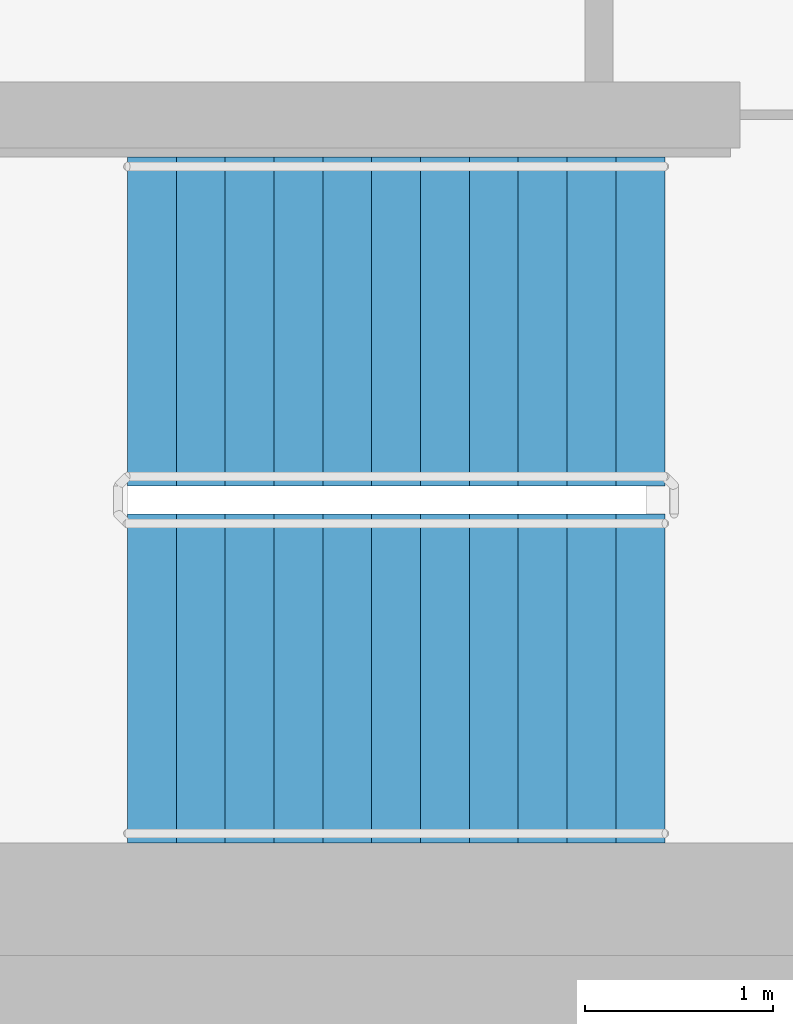
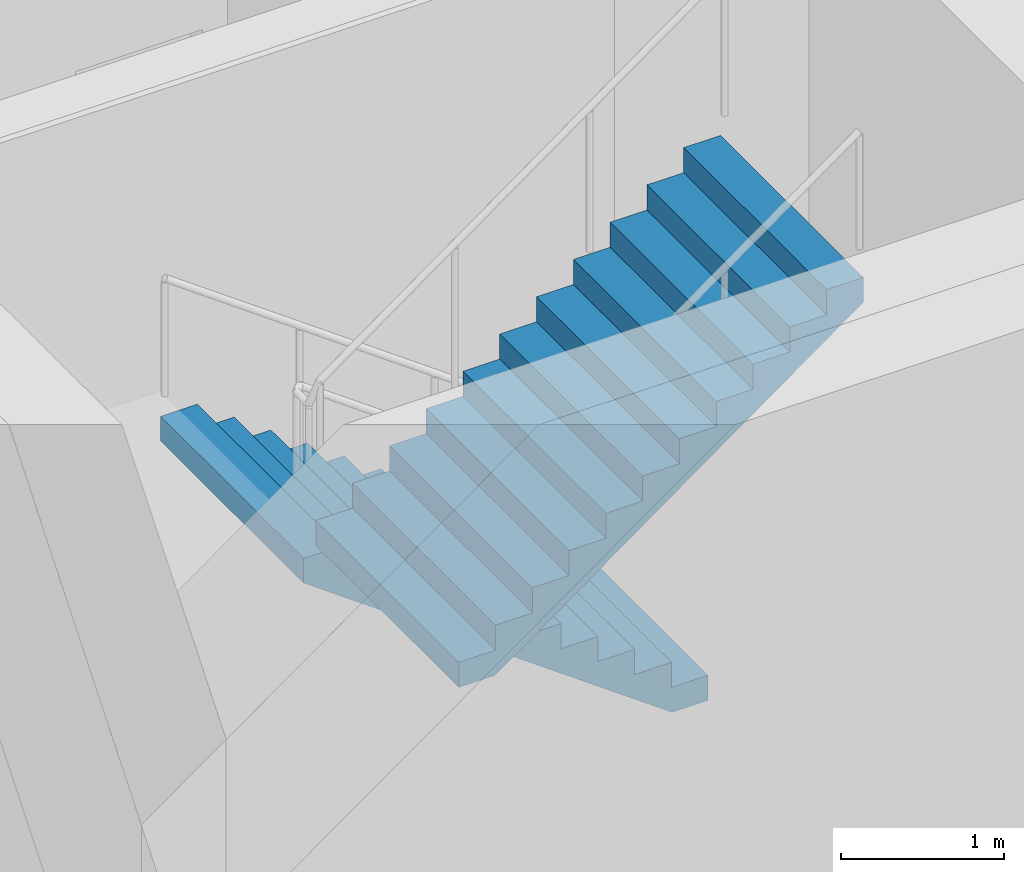
# One storey, part 8 of 12: 2 stair flights, 1 element without a shape of its own.
"""IFC4 building model written with IfcOpenShell, lengths in metres."""

from ifc_helpers import new_model, si_unit, direction, frame, origin, place, context, subcontext, project, spatial, faceted_brep, material, type_object, element, aggregate, save


model = new_model("IFC4")

# Units and contexts
model_context = context("Model", 3, precision=1e-05, world=origin(), true_north=direction((0.0, 1.0)))
body_context = subcontext(model_context, "Body", "Model", "MODEL_VIEW")
ifc_project = project(units=[si_unit("LENGTHUNIT", "METRE"), si_unit("AREAUNIT", "SQUARE_METRE"), si_unit("VOLUMEUNIT", "CUBIC_METRE"), si_unit("PLANEANGLEUNIT", "RADIAN"), si_unit("MASSUNIT", "GRAM", prefix="KILO")], contexts=[model_context])

# Site, building, storey
site_placement = place(None, origin())
site = spatial("IfcSite", under=ifc_project, at=site_placement, CompositionType="ELEMENT")
building_placement = place(site_placement, origin())
building = spatial("IfcBuilding", under=site, at=building_placement, Name="Ipe Terrace Towers", CompositionType="ELEMENT")
storey_placement = place(building_placement, frame((0.0, 0.0, 260.39990234375)))
storey = spatial("IfcBuildingStorey", under=building, at=storey_placement, Name="L71", CompositionType="ELEMENT", Elevation=260.39990234375)

# Stair, stair flights
ifc_material_1 = material(Name="Concrete C30/37", Category="concrete")
stair_type = type_object("IfcStairType", Name="Protected exit stair", PredefinedType="HALF_TURN_STAIR", material=ifc_material_1)
stair_placement = place(storey_placement, origin())
stair = element("IfcStair", 1, at=stair_placement, inside=storey, type_object=stair_type, Name="L71 Exit stair T1-C2", PredefinedType="HALF_TURN_STAIR")
ifc_material_2 = material(Name="Concrete C30/37", Category="concrete")
stair_flight_type = type_object("IfcStairFlightType", Name="Exit stair flight 1750", PredefinedType="STRAIGHT", material=ifc_material_2)
stair_flight_1_placement = place(storey_placement, frame((-45.699951171875, -2.77490234375, 0.0), z_axis=(0.0, 0.0, 1.0), x_axis=(-1.0, 0.0, 0.0)))
stair_flight_1 = element("IfcStairFlight", 2, at=stair_flight_1_placement, type_object=stair_flight_type, Name="T1-ST2 flight 1", NumberOfRisers=12, NumberOfTreads=11, PredefinedType="STRAIGHT", RiserHeight=0.1875, TreadLength=0.26, context=body_context, shape_type="Brep", body=[
    faceted_brep([(0.25634765625, -0.875, 0.0), (2.860107421875, -0.875, 1.877685546875), (2.860107421875, -0.875, 2.0625), (2.60009765625, -0.875, 2.0625), (2.60009765625, -0.875, 1.875), (2.340087890625, -0.875, 1.875), (2.340087890625, -0.875, 1.6875), (2.080078125, -0.875, 1.6875), (2.080078125, -0.875, 1.5), (1.820068359375, -0.875, 1.5), (1.820068359375, -0.875, 1.3125), (1.56005859375, -0.875, 1.3125), (1.56005859375, -0.875, 1.125), (1.300048828125, -0.875, 1.125), (1.300048828125, -0.875, 0.9375), (1.0400390625, -0.875, 0.9375), (1.0400390625, -0.875, 0.75), (0.780029296875, -0.875, 0.75), (0.780029296875, -0.875, 0.5625), (0.52001953125, -0.875, 0.5625), (0.52001953125, -0.875, 0.375), (0.260009765625, -0.875, 0.375), (0.260009765625, -0.875, 0.1875), (0.0, -0.875, 0.1875), (0.0, -0.875, 0.0), (0.0, 0.875, 0.0), (0.0, 0.875, 0.1875), (0.260009765625, 0.875, 0.1875), (0.260009765625, 0.875, 0.375), (0.52001953125, 0.875, 0.375), (0.52001953125, 0.875, 0.5625), (0.780029296875, 0.875, 0.5625), (0.780029296875, 0.875, 0.75), (1.0400390625, 0.875, 0.75), (1.0400390625, 0.875, 0.9375), (1.300048828125, 0.875, 0.9375), (1.300048828125, 0.875, 1.125), (1.56005859375, 0.875, 1.125), (1.56005859375, 0.875, 1.3125), (1.820068359375, 0.875, 1.3125), (1.820068359375, 0.875, 1.5), (2.080078125, 0.875, 1.5), (2.080078125, 0.875, 1.6875), (2.340087890625, 0.875, 1.6875), (2.340087890625, 0.875, 1.875), (2.60009765625, 0.875, 1.875), (2.60009765625, 0.875, 2.0625), (2.860107421875, 0.875, 2.0625), (2.860107421875, 0.875, 1.877685546875), (0.25634765625, 0.875, 0.0), (0.0, -0.300048828125, 0.1875), (0.0, -0.1201171875, 0.1875), (0.0, -0.06005859375, 0.1875), (0.0, -0.030029296875, 0.1875), (0.0, -0.010009765625, 0.1875), (0.0, 0.0, 0.1875), (0.0, 0.010009765625, 0.1875), (0.0, 0.030029296875, 0.1875), (0.0, 0.06005859375, 0.1875), (0.0, 0.1201171875, 0.1875), (0.0, 0.300048828125, 0.1875), (0.0, 0.300048828125, 0.0), (0.0, 0.1201171875, 0.0), (0.0, 0.06005859375, 0.0), (0.0, 0.030029296875, 0.0), (0.0, 0.010009765625, 0.0), (0.0, 0.0, 0.0), (0.0, -0.010009765625, 0.0), (0.0, -0.030029296875, 0.0), (0.0, -0.06005859375, 0.0), (0.0, -0.1201171875, 0.0), (0.0, -0.300048828125, 0.0), (0.260009765625, -0.300048828125, 0.1875), (0.260009765625, -0.1201171875, 0.1875), (0.260009765625, -0.06005859375, 0.1875), (0.260009765625, -0.030029296875, 0.1875), (0.260009765625, -0.010009765625, 0.1875), (0.260009765625, 0.0, 0.1875), (0.260009765625, 0.010009765625, 0.1875), (0.260009765625, 0.030029296875, 0.1875), (0.260009765625, 0.06005859375, 0.1875), (0.260009765625, 0.1201171875, 0.1875), (0.260009765625, 0.300048828125, 0.1875), (0.260009765625, -0.300048828125, 0.375), (0.260009765625, -0.1201171875, 0.375), (0.260009765625, -0.06005859375, 0.375), (0.260009765625, -0.030029296875, 0.375), (0.260009765625, -0.010009765625, 0.375), (0.260009765625, 0.0, 0.375), (0.260009765625, 0.010009765625, 0.375), (0.260009765625, 0.030029296875, 0.375), (0.260009765625, 0.06005859375, 0.375), (0.260009765625, 0.1201171875, 0.375), (0.260009765625, 0.300048828125, 0.375), (0.52001953125, -0.300048828125, 0.375), (0.52001953125, -0.1201171875, 0.375), (0.52001953125, -0.06005859375, 0.375), (0.52001953125, -0.030029296875, 0.375), (0.52001953125, -0.010009765625, 0.375), (0.52001953125, 0.0, 0.375), (0.52001953125, 0.010009765625, 0.375), (0.52001953125, 0.030029296875, 0.375), (0.52001953125, 0.06005859375, 0.375), (0.52001953125, 0.1201171875, 0.375), (0.52001953125, 0.300048828125, 0.375), (0.52001953125, -0.300048828125, 0.5625), (0.52001953125, -0.1201171875, 0.5625), (0.52001953125, -0.06005859375, 0.5625), (0.52001953125, -0.030029296875, 0.5625), (0.52001953125, -0.010009765625, 0.5625), (0.52001953125, 0.0, 0.5625), (0.52001953125, 0.010009765625, 0.5625), (0.52001953125, 0.030029296875, 0.5625), (0.52001953125, 0.06005859375, 0.5625), (0.52001953125, 0.1201171875, 0.5625), (0.52001953125, 0.300048828125, 0.5625), (0.780029296875, -0.300048828125, 0.5625), (0.780029296875, -0.1201171875, 0.5625), (0.780029296875, -0.06005859375, 0.5625), (0.780029296875, -0.030029296875, 0.5625), (0.780029296875, -0.010009765625, 0.5625), (0.780029296875, 0.0, 0.5625), (0.780029296875, 0.010009765625, 0.5625), (0.780029296875, 0.030029296875, 0.5625), (0.780029296875, 0.06005859375, 0.5625), (0.780029296875, 0.1201171875, 0.5625), (0.780029296875, 0.300048828125, 0.5625), (0.780029296875, -0.300048828125, 0.75), (0.780029296875, -0.1201171875, 0.75), (0.780029296875, -0.06005859375, 0.75), (0.780029296875, -0.030029296875, 0.75), (0.780029296875, -0.010009765625, 0.75), (0.780029296875, 0.0, 0.75), (0.780029296875, 0.010009765625, 0.75), (0.780029296875, 0.030029296875, 0.75), (0.780029296875, 0.06005859375, 0.75), (0.780029296875, 0.1201171875, 0.75), (0.780029296875, 0.300048828125, 0.75), (1.0400390625, -0.300048828125, 0.75), (1.0400390625, -0.1201171875, 0.75), (1.0400390625, -0.06005859375, 0.75), (1.0400390625, -0.030029296875, 0.75), (1.0400390625, -0.010009765625, 0.75), (1.0400390625, 0.0, 0.75), (1.0400390625, 0.010009765625, 0.75), (1.0400390625, 0.030029296875, 0.75), (1.0400390625, 0.06005859375, 0.75), (1.0400390625, 0.1201171875, 0.75), (1.0400390625, 0.300048828125, 0.75), (1.0400390625, -0.300048828125, 0.9375), (1.0400390625, -0.1201171875, 0.9375), (1.0400390625, -0.06005859375, 0.9375), (1.0400390625, -0.030029296875, 0.9375), (1.0400390625, -0.010009765625, 0.9375), (1.0400390625, 0.0, 0.9375), (1.0400390625, 0.010009765625, 0.9375), (1.0400390625, 0.030029296875, 0.9375), (1.0400390625, 0.06005859375, 0.9375), (1.0400390625, 0.1201171875, 0.9375), (1.0400390625, 0.300048828125, 0.9375), (1.300048828125, -0.300048828125, 0.9375), (1.300048828125, -0.1201171875, 0.9375), (1.300048828125, -0.06005859375, 0.9375), (1.300048828125, -0.030029296875, 0.9375), (1.300048828125, -0.010009765625, 0.9375), (1.300048828125, 0.0, 0.9375), (1.300048828125, 0.010009765625, 0.9375), (1.300048828125, 0.030029296875, 0.9375), (1.300048828125, 0.06005859375, 0.9375), (1.300048828125, 0.1201171875, 0.9375), (1.300048828125, 0.300048828125, 0.9375), (1.300048828125, -0.300048828125, 1.125), (1.300048828125, -0.1201171875, 1.125), (1.300048828125, -0.06005859375, 1.125), (1.300048828125, -0.030029296875, 1.125), (1.300048828125, -0.010009765625, 1.125), (1.300048828125, 0.0, 1.125), (1.300048828125, 0.010009765625, 1.125), (1.300048828125, 0.030029296875, 1.125), (1.300048828125, 0.06005859375, 1.125), (1.300048828125, 0.1201171875, 1.125), (1.300048828125, 0.300048828125, 1.125), (1.56005859375, -0.300048828125, 1.125), (1.56005859375, -0.1201171875, 1.125), (1.56005859375, -0.06005859375, 1.125), (1.56005859375, -0.030029296875, 1.125), (1.56005859375, -0.010009765625, 1.125), (1.56005859375, 0.0, 1.125), (1.56005859375, 0.010009765625, 1.125), (1.56005859375, 0.030029296875, 1.125), (1.56005859375, 0.06005859375, 1.125), (1.56005859375, 0.1201171875, 1.125), (1.56005859375, 0.300048828125, 1.125), (1.56005859375, -0.300048828125, 1.3125), (1.56005859375, -0.1201171875, 1.3125), (1.56005859375, -0.06005859375, 1.3125), (1.56005859375, -0.030029296875, 1.3125), (1.56005859375, -0.010009765625, 1.3125), (1.56005859375, 0.0, 1.3125), (1.56005859375, 0.010009765625, 1.3125), (1.56005859375, 0.030029296875, 1.3125), (1.56005859375, 0.06005859375, 1.3125), (1.56005859375, 0.1201171875, 1.3125), (1.56005859375, 0.300048828125, 1.3125), (1.820068359375, -0.300048828125, 1.3125), (1.820068359375, -0.1201171875, 1.3125), (1.820068359375, -0.06005859375, 1.3125), (1.820068359375, -0.030029296875, 1.3125), (1.820068359375, -0.010009765625, 1.3125), (1.820068359375, 0.0, 1.3125), (1.820068359375, 0.010009765625, 1.3125), (1.820068359375, 0.030029296875, 1.3125), (1.820068359375, 0.06005859375, 1.3125), (1.820068359375, 0.1201171875, 1.3125), (1.820068359375, 0.300048828125, 1.3125), (1.820068359375, -0.300048828125, 1.5), (1.820068359375, -0.1201171875, 1.5), (1.820068359375, -0.06005859375, 1.5), (1.820068359375, -0.030029296875, 1.5), (1.820068359375, -0.010009765625, 1.5), (1.820068359375, 0.0, 1.5), (1.820068359375, 0.010009765625, 1.5), (1.820068359375, 0.030029296875, 1.5), (1.820068359375, 0.06005859375, 1.5), (1.820068359375, 0.1201171875, 1.5), (1.820068359375, 0.300048828125, 1.5), (2.080078125, -0.300048828125, 1.5), (2.080078125, -0.1201171875, 1.5), (2.080078125, -0.06005859375, 1.5), (2.080078125, -0.030029296875, 1.5), (2.080078125, -0.010009765625, 1.5), (2.080078125, 0.0, 1.5), (2.080078125, 0.010009765625, 1.5), (2.080078125, 0.030029296875, 1.5), (2.080078125, 0.06005859375, 1.5), (2.080078125, 0.1201171875, 1.5), (2.080078125, 0.300048828125, 1.5), (2.080078125, -0.300048828125, 1.6875), (2.080078125, -0.1201171875, 1.6875), (2.080078125, -0.06005859375, 1.6875), (2.080078125, -0.030029296875, 1.6875), (2.080078125, -0.010009765625, 1.6875), (2.080078125, 0.0, 1.6875), (2.080078125, 0.010009765625, 1.6875), (2.080078125, 0.030029296875, 1.6875), (2.080078125, 0.06005859375, 1.6875), (2.080078125, 0.1201171875, 1.6875), (2.080078125, 0.300048828125, 1.6875), (2.340087890625, -0.300048828125, 1.6875), (2.340087890625, -0.1201171875, 1.6875), (2.340087890625, -0.06005859375, 1.6875), (2.340087890625, -0.030029296875, 1.6875), (2.340087890625, -0.010009765625, 1.6875), (2.340087890625, 0.0, 1.6875), (2.340087890625, 0.010009765625, 1.6875), (2.340087890625, 0.030029296875, 1.6875), (2.340087890625, 0.06005859375, 1.6875), (2.340087890625, 0.1201171875, 1.6875), (2.340087890625, 0.300048828125, 1.6875), (2.340087890625, -0.300048828125, 1.875), (2.340087890625, -0.1201171875, 1.875), (2.340087890625, -0.06005859375, 1.875), (2.340087890625, -0.030029296875, 1.875), (2.340087890625, -0.010009765625, 1.875), (2.340087890625, 0.0, 1.875), (2.340087890625, 0.010009765625, 1.875), (2.340087890625, 0.030029296875, 1.875), (2.340087890625, 0.06005859375, 1.875), (2.340087890625, 0.1201171875, 1.875), (2.340087890625, 0.300048828125, 1.875), (2.60009765625, -0.300048828125, 1.875), (2.60009765625, -0.1201171875, 1.875), (2.60009765625, -0.06005859375, 1.875), (2.60009765625, -0.030029296875, 1.875), (2.60009765625, -0.010009765625, 1.875), (2.60009765625, 0.0, 1.875), (2.60009765625, 0.010009765625, 1.875), (2.60009765625, 0.030029296875, 1.875), (2.60009765625, 0.06005859375, 1.875), (2.60009765625, 0.1201171875, 1.875), (2.60009765625, 0.300048828125, 1.875), (2.60009765625, -0.300048828125, 2.0625), (2.60009765625, -0.1201171875, 2.0625), (2.60009765625, -0.06005859375, 2.0625), (2.60009765625, -0.030029296875, 2.0625), (2.60009765625, -0.010009765625, 2.0625), (2.60009765625, 0.0, 2.0625), (2.60009765625, 0.010009765625, 2.0625), (2.60009765625, 0.030029296875, 2.0625), (2.60009765625, 0.06005859375, 2.0625), (2.60009765625, 0.1201171875, 2.0625), (2.60009765625, 0.300048828125, 2.0625), (2.860107421875, -0.300048828125, 2.0625), (2.860107421875, -0.1201171875, 2.0625), (2.860107421875, -0.06005859375, 2.0625), (2.860107421875, -0.030029296875, 2.0625), (2.860107421875, -0.010009765625, 2.0625), (2.860107421875, 0.0, 2.0625), (2.860107421875, 0.010009765625, 2.0625), (2.860107421875, 0.030029296875, 2.0625), (2.860107421875, 0.06005859375, 2.0625), (2.860107421875, 0.1201171875, 2.0625), (2.860107421875, 0.300048828125, 2.0625), (2.860107421875, -0.300048828125, 1.877685546875), (2.860107421875, -0.1201171875, 1.877685546875), (2.860107421875, -0.06005859375, 1.877685546875), (2.860107421875, -0.030029296875, 1.877685546875), (2.860107421875, -0.010009765625, 1.877685546875), (2.860107421875, 0.0, 1.877685546875), (2.860107421875, 0.010009765625, 1.877685546875), (2.860107421875, 0.030029296875, 1.877685546875), (2.860107421875, 0.06005859375, 1.877685546875), (2.860107421875, 0.1201171875, 1.877685546875), (2.860107421875, 0.300048828125, 1.877685546875), (0.25634765625, -0.300048828125, 0.0), (0.25634765625, -0.1201171875, 0.0), (0.25634765625, -0.06005859375, 0.0), (0.25634765625, -0.030029296875, 0.0), (0.25634765625, -0.010009765625, 0.0), (0.25634765625, 0.0, 0.0), (0.25634765625, 0.010009765625, 0.0), (0.25634765625, 0.030029296875, 0.0), (0.25634765625, 0.06005859375, 0.0), (0.25634765625, 0.1201171875, 0.0), (0.25634765625, 0.300048828125, 0.0)], [[[0, 1, 2, 3, 4, 5, 6, 7, 8, 9, 10, 11, 12, 13, 14, 15, 16, 17, 18, 19, 20, 21, 22, 23, 24]], [[25, 26, 27, 28, 29, 30, 31, 32, 33, 34, 35, 36, 37, 38, 39, 40, 41, 42, 43, 44, 45, 46, 47, 48, 49]], [[23, 50, 51, 52, 53, 54, 55, 56, 57, 58, 59, 60, 26, 25, 61, 62, 63, 64, 65, 66, 67, 68, 69, 70, 71, 24]], [[22, 72, 73, 74, 75, 76, 77, 78, 79, 80, 81, 82, 27, 26, 60, 59, 58, 57, 56, 55, 54, 53, 52, 51, 50, 23]], [[21, 83, 84, 85, 86, 87, 88, 89, 90, 91, 92, 93, 28, 27, 82, 81, 80, 79, 78, 77, 76, 75, 74, 73, 72, 22]], [[20, 94, 95, 96, 97, 98, 99, 100, 101, 102, 103, 104, 29, 28, 93, 92, 91, 90, 89, 88, 87, 86, 85, 84, 83, 21]], [[19, 105, 106, 107, 108, 109, 110, 111, 112, 113, 114, 115, 30, 29, 104, 103, 102, 101, 100, 99, 98, 97, 96, 95, 94, 20]], [[18, 116, 117, 118, 119, 120, 121, 122, 123, 124, 125, 126, 31, 30, 115, 114, 113, 112, 111, 110, 109, 108, 107, 106, 105, 19]], [[17, 127, 128, 129, 130, 131, 132, 133, 134, 135, 136, 137, 32, 31, 126, 125, 124, 123, 122, 121, 120, 119, 118, 117, 116, 18]], [[16, 138, 139, 140, 141, 142, 143, 144, 145, 146, 147, 148, 33, 32, 137, 136, 135, 134, 133, 132, 131, 130, 129, 128, 127, 17]], [[15, 149, 150, 151, 152, 153, 154, 155, 156, 157, 158, 159, 34, 33, 148, 147, 146, 145, 144, 143, 142, 141, 140, 139, 138, 16]], [[14, 160, 161, 162, 163, 164, 165, 166, 167, 168, 169, 170, 35, 34, 159, 158, 157, 156, 155, 154, 153, 152, 151, 150, 149, 15]], [[13, 171, 172, 173, 174, 175, 176, 177, 178, 179, 180, 181, 36, 35, 170, 169, 168, 167, 166, 165, 164, 163, 162, 161, 160, 14]], [[12, 182, 183, 184, 185, 186, 187, 188, 189, 190, 191, 192, 37, 36, 181, 180, 179, 178, 177, 176, 175, 174, 173, 172, 171, 13]], [[11, 193, 194, 195, 196, 197, 198, 199, 200, 201, 202, 203, 38, 37, 192, 191, 190, 189, 188, 187, 186, 185, 184, 183, 182, 12]], [[10, 204, 205, 206, 207, 208, 209, 210, 211, 212, 213, 214, 39, 38, 203, 202, 201, 200, 199, 198, 197, 196, 195, 194, 193, 11]], [[9, 215, 216, 217, 218, 219, 220, 221, 222, 223, 224, 225, 40, 39, 214, 213, 212, 211, 210, 209, 208, 207, 206, 205, 204, 10]], [[8, 226, 227, 228, 229, 230, 231, 232, 233, 234, 235, 236, 41, 40, 225, 224, 223, 222, 221, 220, 219, 218, 217, 216, 215, 9]], [[7, 237, 238, 239, 240, 241, 242, 243, 244, 245, 246, 247, 42, 41, 236, 235, 234, 233, 232, 231, 230, 229, 228, 227, 226, 8]], [[6, 248, 249, 250, 251, 252, 253, 254, 255, 256, 257, 258, 43, 42, 247, 246, 245, 244, 243, 242, 241, 240, 239, 238, 237, 7]], [[5, 259, 260, 261, 262, 263, 264, 265, 266, 267, 268, 269, 44, 43, 258, 257, 256, 255, 254, 253, 252, 251, 250, 249, 248, 6]], [[4, 270, 271, 272, 273, 274, 275, 276, 277, 278, 279, 280, 45, 44, 269, 268, 267, 266, 265, 264, 263, 262, 261, 260, 259, 5]], [[3, 281, 282, 283, 284, 285, 286, 287, 288, 289, 290, 291, 46, 45, 280, 279, 278, 277, 276, 275, 274, 273, 272, 271, 270, 4]], [[2, 292, 293, 294, 295, 296, 297, 298, 299, 300, 301, 302, 47, 46, 291, 290, 289, 288, 287, 286, 285, 284, 283, 282, 281, 3]], [[1, 303, 304, 305, 306, 307, 308, 309, 310, 311, 312, 313, 48, 47, 302, 301, 300, 299, 298, 297, 296, 295, 294, 293, 292, 2]], [[0, 314, 315, 316, 317, 318, 319, 320, 321, 322, 323, 324, 49, 48, 313, 312, 311, 310, 309, 308, 307, 306, 305, 304, 303, 1]], [[24, 71, 70, 69, 68, 67, 66, 65, 64, 63, 62, 61, 25, 49, 324, 323, 322, 321, 320, 319, 318, 317, 316, 315, 314, 0]]]),
])
stair_flight_2_placement = place(storey_placement, frame((-48.56005859375, -4.675048828125, 2.25), z_axis=(0.0, 0.0, 1.0), x_axis=(1.0, 0.0, 0.0)))
stair_flight_2 = element("IfcStairFlight", 3, at=stair_flight_2_placement, type_object=stair_flight_type, Name="T1-ST2 flight 2", NumberOfRisers=12, NumberOfTreads=11, PredefinedType="STRAIGHT", RiserHeight=0.1875, TreadLength=0.26, context=body_context, shape_type="Brep", body=[
    faceted_brep([(0.25634765625, -0.875, 0.0), (2.860107421875, -0.875, 1.877685546875), (2.860107421875, -0.875, 2.0625), (2.60009765625, -0.875, 2.0625), (2.60009765625, -0.875, 1.875), (2.340087890625, -0.875, 1.875), (2.340087890625, -0.875, 1.6875), (2.080078125, -0.875, 1.6875), (2.080078125, -0.875, 1.5), (1.820068359375, -0.875, 1.5), (1.820068359375, -0.875, 1.3125), (1.56005859375, -0.875, 1.3125), (1.56005859375, -0.875, 1.125), (1.300048828125, -0.875, 1.125), (1.300048828125, -0.875, 0.9375), (1.0400390625, -0.875, 0.9375), (1.0400390625, -0.875, 0.75), (0.780029296875, -0.875, 0.75), (0.780029296875, -0.875, 0.5625), (0.52001953125, -0.875, 0.5625), (0.52001953125, -0.875, 0.375), (0.260009765625, -0.875, 0.375), (0.260009765625, -0.875, 0.1875), (0.0, -0.875, 0.1875), (0.0, -0.875, 0.0), (0.0, 0.875, 0.0), (0.0, 0.875, 0.1875), (0.260009765625, 0.875, 0.1875), (0.260009765625, 0.875, 0.375), (0.52001953125, 0.875, 0.375), (0.52001953125, 0.875, 0.5625), (0.780029296875, 0.875, 0.5625), (0.780029296875, 0.875, 0.75), (1.0400390625, 0.875, 0.75), (1.0400390625, 0.875, 0.9375), (1.300048828125, 0.875, 0.9375), (1.300048828125, 0.875, 1.125), (1.56005859375, 0.875, 1.125), (1.56005859375, 0.875, 1.3125), (1.820068359375, 0.875, 1.3125), (1.820068359375, 0.875, 1.5), (2.080078125, 0.875, 1.5), (2.080078125, 0.875, 1.6875), (2.340087890625, 0.875, 1.6875), (2.340087890625, 0.875, 1.875), (2.60009765625, 0.875, 1.875), (2.60009765625, 0.875, 2.0625), (2.860107421875, 0.875, 2.0625), (2.860107421875, 0.875, 1.877685546875), (0.25634765625, 0.875, 0.0), (0.0, -0.300048828125, 0.1875), (0.0, -0.1201171875, 0.1875), (0.0, -0.06005859375, 0.1875), (0.0, -0.030029296875, 0.1875), (0.0, -0.010009765625, 0.1875), (0.0, 0.0, 0.1875), (0.0, 0.010009765625, 0.1875), (0.0, 0.030029296875, 0.1875), (0.0, 0.06005859375, 0.1875), (0.0, 0.1201171875, 0.1875), (0.0, 0.300048828125, 0.1875), (0.0, 0.300048828125, 0.0), (0.0, 0.1201171875, 0.0), (0.0, 0.06005859375, 0.0), (0.0, 0.030029296875, 0.0), (0.0, 0.010009765625, 0.0), (0.0, 0.0, 0.0), (0.0, -0.010009765625, 0.0), (0.0, -0.030029296875, 0.0), (0.0, -0.06005859375, 0.0), (0.0, -0.1201171875, 0.0), (0.0, -0.300048828125, 0.0), (0.260009765625, -0.300048828125, 0.1875), (0.260009765625, -0.1201171875, 0.1875), (0.260009765625, -0.06005859375, 0.1875), (0.260009765625, -0.030029296875, 0.1875), (0.260009765625, -0.010009765625, 0.1875), (0.260009765625, 0.0, 0.1875), (0.260009765625, 0.010009765625, 0.1875), (0.260009765625, 0.030029296875, 0.1875), (0.260009765625, 0.06005859375, 0.1875), (0.260009765625, 0.1201171875, 0.1875), (0.260009765625, 0.300048828125, 0.1875), (0.260009765625, -0.300048828125, 0.375), (0.260009765625, -0.1201171875, 0.375), (0.260009765625, -0.06005859375, 0.375), (0.260009765625, -0.030029296875, 0.375), (0.260009765625, -0.010009765625, 0.375), (0.260009765625, 0.0, 0.375), (0.260009765625, 0.010009765625, 0.375), (0.260009765625, 0.030029296875, 0.375), (0.260009765625, 0.06005859375, 0.375), (0.260009765625, 0.1201171875, 0.375), (0.260009765625, 0.300048828125, 0.375), (0.52001953125, -0.300048828125, 0.375), (0.52001953125, -0.1201171875, 0.375), (0.52001953125, -0.06005859375, 0.375), (0.52001953125, -0.030029296875, 0.375), (0.52001953125, -0.010009765625, 0.375), (0.52001953125, 0.0, 0.375), (0.52001953125, 0.010009765625, 0.375), (0.52001953125, 0.030029296875, 0.375), (0.52001953125, 0.06005859375, 0.375), (0.52001953125, 0.1201171875, 0.375), (0.52001953125, 0.300048828125, 0.375), (0.52001953125, -0.300048828125, 0.5625), (0.52001953125, -0.1201171875, 0.5625), (0.52001953125, -0.06005859375, 0.5625), (0.52001953125, -0.030029296875, 0.5625), (0.52001953125, -0.010009765625, 0.5625), (0.52001953125, 0.0, 0.5625), (0.52001953125, 0.010009765625, 0.5625), (0.52001953125, 0.030029296875, 0.5625), (0.52001953125, 0.06005859375, 0.5625), (0.52001953125, 0.1201171875, 0.5625), (0.52001953125, 0.300048828125, 0.5625), (0.780029296875, -0.300048828125, 0.5625), (0.780029296875, -0.1201171875, 0.5625), (0.780029296875, -0.06005859375, 0.5625), (0.780029296875, -0.030029296875, 0.5625), (0.780029296875, -0.010009765625, 0.5625), (0.780029296875, 0.0, 0.5625), (0.780029296875, 0.010009765625, 0.5625), (0.780029296875, 0.030029296875, 0.5625), (0.780029296875, 0.06005859375, 0.5625), (0.780029296875, 0.1201171875, 0.5625), (0.780029296875, 0.300048828125, 0.5625), (0.780029296875, -0.300048828125, 0.75), (0.780029296875, -0.1201171875, 0.75), (0.780029296875, -0.06005859375, 0.75), (0.780029296875, -0.030029296875, 0.75), (0.780029296875, -0.010009765625, 0.75), (0.780029296875, 0.0, 0.75), (0.780029296875, 0.010009765625, 0.75), (0.780029296875, 0.030029296875, 0.75), (0.780029296875, 0.06005859375, 0.75), (0.780029296875, 0.1201171875, 0.75), (0.780029296875, 0.300048828125, 0.75), (1.0400390625, -0.300048828125, 0.75), (1.0400390625, -0.1201171875, 0.75), (1.0400390625, -0.06005859375, 0.75), (1.0400390625, -0.030029296875, 0.75), (1.0400390625, -0.010009765625, 0.75), (1.0400390625, 0.0, 0.75), (1.0400390625, 0.010009765625, 0.75), (1.0400390625, 0.030029296875, 0.75), (1.0400390625, 0.06005859375, 0.75), (1.0400390625, 0.1201171875, 0.75), (1.0400390625, 0.300048828125, 0.75), (1.0400390625, -0.300048828125, 0.9375), (1.0400390625, -0.1201171875, 0.9375), (1.0400390625, -0.06005859375, 0.9375), (1.0400390625, -0.030029296875, 0.9375), (1.0400390625, -0.010009765625, 0.9375), (1.0400390625, 0.0, 0.9375), (1.0400390625, 0.010009765625, 0.9375), (1.0400390625, 0.030029296875, 0.9375), (1.0400390625, 0.06005859375, 0.9375), (1.0400390625, 0.1201171875, 0.9375), (1.0400390625, 0.300048828125, 0.9375), (1.300048828125, -0.300048828125, 0.9375), (1.300048828125, -0.1201171875, 0.9375), (1.300048828125, -0.06005859375, 0.9375), (1.300048828125, -0.030029296875, 0.9375), (1.300048828125, -0.010009765625, 0.9375), (1.300048828125, 0.0, 0.9375), (1.300048828125, 0.010009765625, 0.9375), (1.300048828125, 0.030029296875, 0.9375), (1.300048828125, 0.06005859375, 0.9375), (1.300048828125, 0.1201171875, 0.9375), (1.300048828125, 0.300048828125, 0.9375), (1.300048828125, -0.300048828125, 1.125), (1.300048828125, -0.1201171875, 1.125), (1.300048828125, -0.06005859375, 1.125), (1.300048828125, -0.030029296875, 1.125), (1.300048828125, -0.010009765625, 1.125), (1.300048828125, 0.0, 1.125), (1.300048828125, 0.010009765625, 1.125), (1.300048828125, 0.030029296875, 1.125), (1.300048828125, 0.06005859375, 1.125), (1.300048828125, 0.1201171875, 1.125), (1.300048828125, 0.300048828125, 1.125), (1.56005859375, -0.300048828125, 1.125), (1.56005859375, -0.1201171875, 1.125), (1.56005859375, -0.06005859375, 1.125), (1.56005859375, -0.030029296875, 1.125), (1.56005859375, -0.010009765625, 1.125), (1.56005859375, 0.0, 1.125), (1.56005859375, 0.010009765625, 1.125), (1.56005859375, 0.030029296875, 1.125), (1.56005859375, 0.06005859375, 1.125), (1.56005859375, 0.1201171875, 1.125), (1.56005859375, 0.300048828125, 1.125), (1.56005859375, -0.300048828125, 1.3125), (1.56005859375, -0.1201171875, 1.3125), (1.56005859375, -0.06005859375, 1.3125), (1.56005859375, -0.030029296875, 1.3125), (1.56005859375, -0.010009765625, 1.3125), (1.56005859375, 0.0, 1.3125), (1.56005859375, 0.010009765625, 1.3125), (1.56005859375, 0.030029296875, 1.3125), (1.56005859375, 0.06005859375, 1.3125), (1.56005859375, 0.1201171875, 1.3125), (1.56005859375, 0.300048828125, 1.3125), (1.820068359375, -0.300048828125, 1.3125), (1.820068359375, -0.1201171875, 1.3125), (1.820068359375, -0.06005859375, 1.3125), (1.820068359375, -0.030029296875, 1.3125), (1.820068359375, -0.010009765625, 1.3125), (1.820068359375, 0.0, 1.3125), (1.820068359375, 0.010009765625, 1.3125), (1.820068359375, 0.030029296875, 1.3125), (1.820068359375, 0.06005859375, 1.3125), (1.820068359375, 0.1201171875, 1.3125), (1.820068359375, 0.300048828125, 1.3125), (1.820068359375, -0.300048828125, 1.5), (1.820068359375, -0.1201171875, 1.5), (1.820068359375, -0.06005859375, 1.5), (1.820068359375, -0.030029296875, 1.5), (1.820068359375, -0.010009765625, 1.5), (1.820068359375, 0.0, 1.5), (1.820068359375, 0.010009765625, 1.5), (1.820068359375, 0.030029296875, 1.5), (1.820068359375, 0.06005859375, 1.5), (1.820068359375, 0.1201171875, 1.5), (1.820068359375, 0.300048828125, 1.5), (2.080078125, -0.300048828125, 1.5), (2.080078125, -0.1201171875, 1.5), (2.080078125, -0.06005859375, 1.5), (2.080078125, -0.030029296875, 1.5), (2.080078125, -0.010009765625, 1.5), (2.080078125, 0.0, 1.5), (2.080078125, 0.010009765625, 1.5), (2.080078125, 0.030029296875, 1.5), (2.080078125, 0.06005859375, 1.5), (2.080078125, 0.1201171875, 1.5), (2.080078125, 0.300048828125, 1.5), (2.080078125, -0.300048828125, 1.6875), (2.080078125, -0.1201171875, 1.6875), (2.080078125, -0.06005859375, 1.6875), (2.080078125, -0.030029296875, 1.6875), (2.080078125, -0.010009765625, 1.6875), (2.080078125, 0.0, 1.6875), (2.080078125, 0.010009765625, 1.6875), (2.080078125, 0.030029296875, 1.6875), (2.080078125, 0.06005859375, 1.6875), (2.080078125, 0.1201171875, 1.6875), (2.080078125, 0.300048828125, 1.6875), (2.340087890625, -0.300048828125, 1.6875), (2.340087890625, -0.1201171875, 1.6875), (2.340087890625, -0.06005859375, 1.6875), (2.340087890625, -0.030029296875, 1.6875), (2.340087890625, -0.010009765625, 1.6875), (2.340087890625, 0.0, 1.6875), (2.340087890625, 0.010009765625, 1.6875), (2.340087890625, 0.030029296875, 1.6875), (2.340087890625, 0.06005859375, 1.6875), (2.340087890625, 0.1201171875, 1.6875), (2.340087890625, 0.300048828125, 1.6875), (2.340087890625, -0.300048828125, 1.875), (2.340087890625, -0.1201171875, 1.875), (2.340087890625, -0.06005859375, 1.875), (2.340087890625, -0.030029296875, 1.875), (2.340087890625, -0.010009765625, 1.875), (2.340087890625, 0.0, 1.875), (2.340087890625, 0.010009765625, 1.875), (2.340087890625, 0.030029296875, 1.875), (2.340087890625, 0.06005859375, 1.875), (2.340087890625, 0.1201171875, 1.875), (2.340087890625, 0.300048828125, 1.875), (2.60009765625, -0.300048828125, 1.875), (2.60009765625, -0.1201171875, 1.875), (2.60009765625, -0.06005859375, 1.875), (2.60009765625, -0.030029296875, 1.875), (2.60009765625, -0.010009765625, 1.875), (2.60009765625, 0.0, 1.875), (2.60009765625, 0.010009765625, 1.875), (2.60009765625, 0.030029296875, 1.875), (2.60009765625, 0.06005859375, 1.875), (2.60009765625, 0.1201171875, 1.875), (2.60009765625, 0.300048828125, 1.875), (2.60009765625, -0.300048828125, 2.0625), (2.60009765625, -0.1201171875, 2.0625), (2.60009765625, -0.06005859375, 2.0625), (2.60009765625, -0.030029296875, 2.0625), (2.60009765625, -0.010009765625, 2.0625), (2.60009765625, 0.0, 2.0625), (2.60009765625, 0.010009765625, 2.0625), (2.60009765625, 0.030029296875, 2.0625), (2.60009765625, 0.06005859375, 2.0625), (2.60009765625, 0.1201171875, 2.0625), (2.60009765625, 0.300048828125, 2.0625), (2.860107421875, -0.300048828125, 2.0625), (2.860107421875, -0.1201171875, 2.0625), (2.860107421875, -0.06005859375, 2.0625), (2.860107421875, -0.030029296875, 2.0625), (2.860107421875, -0.010009765625, 2.0625), (2.860107421875, 0.0, 2.0625), (2.860107421875, 0.010009765625, 2.0625), (2.860107421875, 0.030029296875, 2.0625), (2.860107421875, 0.06005859375, 2.0625), (2.860107421875, 0.1201171875, 2.0625), (2.860107421875, 0.300048828125, 2.0625), (2.860107421875, -0.300048828125, 1.877685546875), (2.860107421875, -0.1201171875, 1.877685546875), (2.860107421875, -0.06005859375, 1.877685546875), (2.860107421875, -0.030029296875, 1.877685546875), (2.860107421875, -0.010009765625, 1.877685546875), (2.860107421875, 0.0, 1.877685546875), (2.860107421875, 0.010009765625, 1.877685546875), (2.860107421875, 0.030029296875, 1.877685546875), (2.860107421875, 0.06005859375, 1.877685546875), (2.860107421875, 0.1201171875, 1.877685546875), (2.860107421875, 0.300048828125, 1.877685546875), (0.25634765625, -0.300048828125, 0.0), (0.25634765625, -0.1201171875, 0.0), (0.25634765625, -0.06005859375, 0.0), (0.25634765625, -0.030029296875, 0.0), (0.25634765625, -0.010009765625, 0.0), (0.25634765625, 0.0, 0.0), (0.25634765625, 0.010009765625, 0.0), (0.25634765625, 0.030029296875, 0.0), (0.25634765625, 0.06005859375, 0.0), (0.25634765625, 0.1201171875, 0.0), (0.25634765625, 0.300048828125, 0.0)], [[[0, 1, 2, 3, 4, 5, 6, 7, 8, 9, 10, 11, 12, 13, 14, 15, 16, 17, 18, 19, 20, 21, 22, 23, 24]], [[25, 26, 27, 28, 29, 30, 31, 32, 33, 34, 35, 36, 37, 38, 39, 40, 41, 42, 43, 44, 45, 46, 47, 48, 49]], [[23, 50, 51, 52, 53, 54, 55, 56, 57, 58, 59, 60, 26, 25, 61, 62, 63, 64, 65, 66, 67, 68, 69, 70, 71, 24]], [[22, 72, 73, 74, 75, 76, 77, 78, 79, 80, 81, 82, 27, 26, 60, 59, 58, 57, 56, 55, 54, 53, 52, 51, 50, 23]], [[21, 83, 84, 85, 86, 87, 88, 89, 90, 91, 92, 93, 28, 27, 82, 81, 80, 79, 78, 77, 76, 75, 74, 73, 72, 22]], [[20, 94, 95, 96, 97, 98, 99, 100, 101, 102, 103, 104, 29, 28, 93, 92, 91, 90, 89, 88, 87, 86, 85, 84, 83, 21]], [[19, 105, 106, 107, 108, 109, 110, 111, 112, 113, 114, 115, 30, 29, 104, 103, 102, 101, 100, 99, 98, 97, 96, 95, 94, 20]], [[18, 116, 117, 118, 119, 120, 121, 122, 123, 124, 125, 126, 31, 30, 115, 114, 113, 112, 111, 110, 109, 108, 107, 106, 105, 19]], [[17, 127, 128, 129, 130, 131, 132, 133, 134, 135, 136, 137, 32, 31, 126, 125, 124, 123, 122, 121, 120, 119, 118, 117, 116, 18]], [[16, 138, 139, 140, 141, 142, 143, 144, 145, 146, 147, 148, 33, 32, 137, 136, 135, 134, 133, 132, 131, 130, 129, 128, 127, 17]], [[15, 149, 150, 151, 152, 153, 154, 155, 156, 157, 158, 159, 34, 33, 148, 147, 146, 145, 144, 143, 142, 141, 140, 139, 138, 16]], [[14, 160, 161, 162, 163, 164, 165, 166, 167, 168, 169, 170, 35, 34, 159, 158, 157, 156, 155, 154, 153, 152, 151, 150, 149, 15]], [[13, 171, 172, 173, 174, 175, 176, 177, 178, 179, 180, 181, 36, 35, 170, 169, 168, 167, 166, 165, 164, 163, 162, 161, 160, 14]], [[12, 182, 183, 184, 185, 186, 187, 188, 189, 190, 191, 192, 37, 36, 181, 180, 179, 178, 177, 176, 175, 174, 173, 172, 171, 13]], [[11, 193, 194, 195, 196, 197, 198, 199, 200, 201, 202, 203, 38, 37, 192, 191, 190, 189, 188, 187, 186, 185, 184, 183, 182, 12]], [[10, 204, 205, 206, 207, 208, 209, 210, 211, 212, 213, 214, 39, 38, 203, 202, 201, 200, 199, 198, 197, 196, 195, 194, 193, 11]], [[9, 215, 216, 217, 218, 219, 220, 221, 222, 223, 224, 225, 40, 39, 214, 213, 212, 211, 210, 209, 208, 207, 206, 205, 204, 10]], [[8, 226, 227, 228, 229, 230, 231, 232, 233, 234, 235, 236, 41, 40, 225, 224, 223, 222, 221, 220, 219, 218, 217, 216, 215, 9]], [[7, 237, 238, 239, 240, 241, 242, 243, 244, 245, 246, 247, 42, 41, 236, 235, 234, 233, 232, 231, 230, 229, 228, 227, 226, 8]], [[6, 248, 249, 250, 251, 252, 253, 254, 255, 256, 257, 258, 43, 42, 247, 246, 245, 244, 243, 242, 241, 240, 239, 238, 237, 7]], [[5, 259, 260, 261, 262, 263, 264, 265, 266, 267, 268, 269, 44, 43, 258, 257, 256, 255, 254, 253, 252, 251, 250, 249, 248, 6]], [[4, 270, 271, 272, 273, 274, 275, 276, 277, 278, 279, 280, 45, 44, 269, 268, 267, 266, 265, 264, 263, 262, 261, 260, 259, 5]], [[3, 281, 282, 283, 284, 285, 286, 287, 288, 289, 290, 291, 46, 45, 280, 279, 278, 277, 276, 275, 274, 273, 272, 271, 270, 4]], [[2, 292, 293, 294, 295, 296, 297, 298, 299, 300, 301, 302, 47, 46, 291, 290, 289, 288, 287, 286, 285, 284, 283, 282, 281, 3]], [[1, 303, 304, 305, 306, 307, 308, 309, 310, 311, 312, 313, 48, 47, 302, 301, 300, 299, 298, 297, 296, 295, 294, 293, 292, 2]], [[0, 314, 315, 316, 317, 318, 319, 320, 321, 322, 323, 324, 49, 48, 313, 312, 311, 310, 309, 308, 307, 306, 305, 304, 303, 1]], [[24, 71, 70, 69, 68, 67, 66, 65, 64, 63, 62, 61, 25, 49, 324, 323, 322, 321, 320, 319, 318, 317, 316, 315, 314, 0]]]),
])
aggregate(stair, [stair_flight_1, stair_flight_2])

save(model, "model.ifc")
